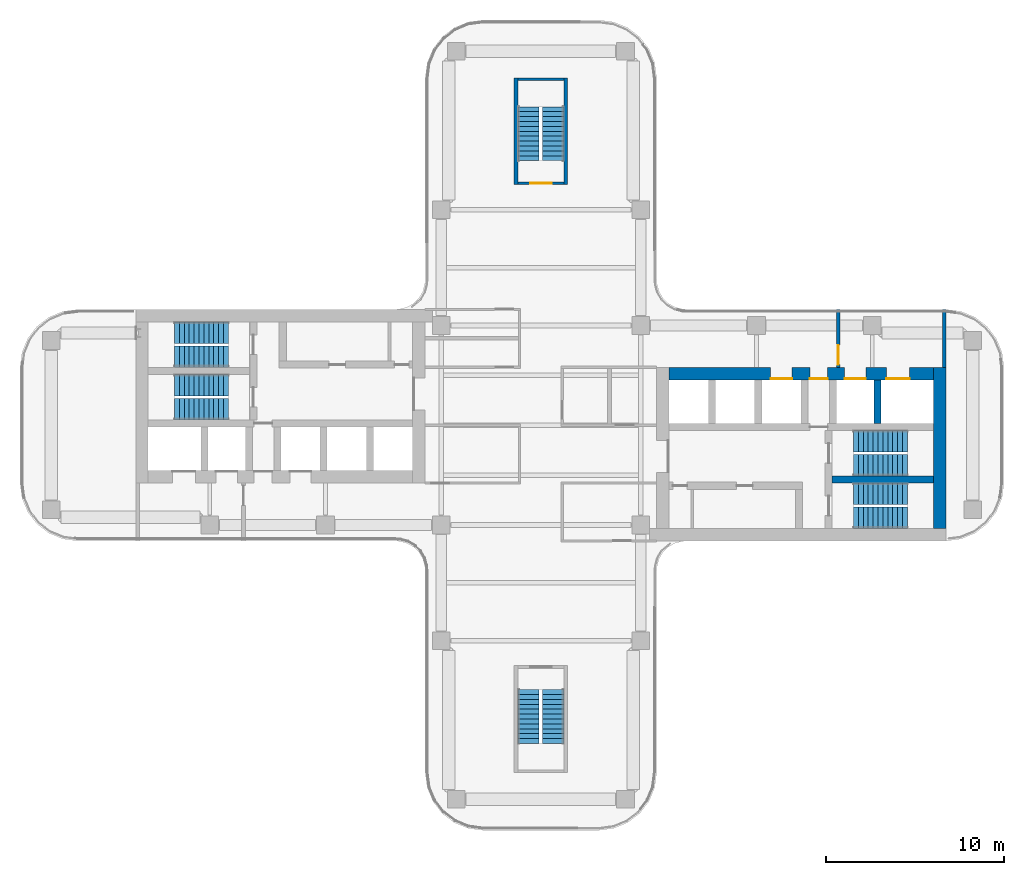
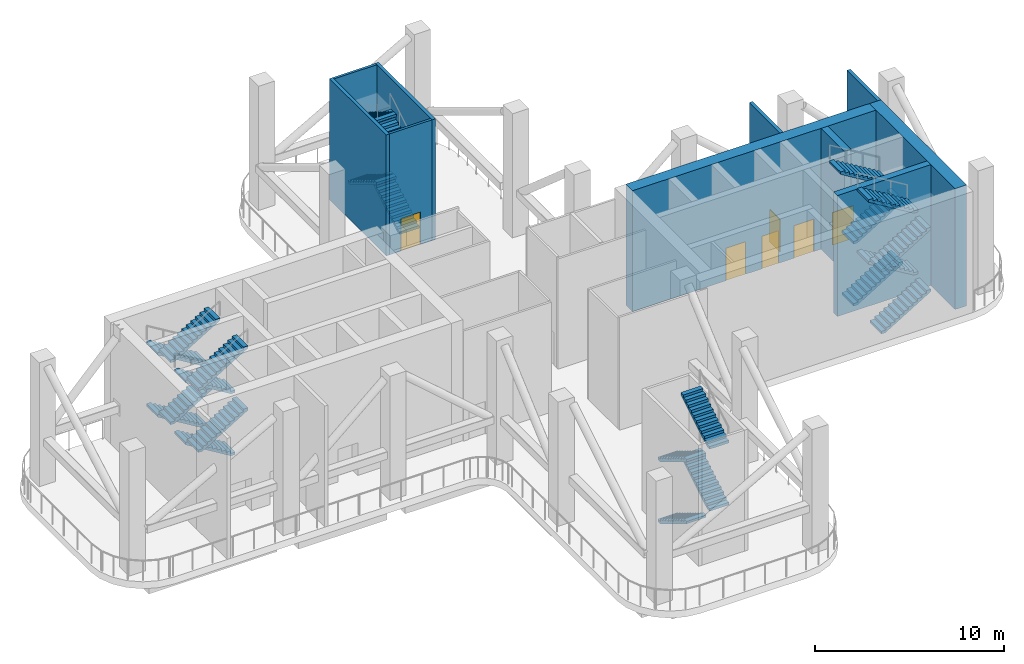
# One storey, part 5 of 9: 24 stair flights, 10 walls, 6 doors, 6 openings, 6 elements without a shape of their own.
"""IFC4 building model written with IfcOpenShell, lengths in metres."""

from ifc_helpers import new_model, si_unit, direction, frame, frame_2d, origin, place, context, subcontext, project, spatial, polyline, rectangle, outline, extrude, source, transform, mapped, material, layer, layer_set, type_object, element, fill, aggregate, save


model = new_model("IFC4")

# Units and contexts
model_context = context("Model", 3, precision=1e-05, world=origin(), true_north=direction((0.0, 1.0)))
body_context = subcontext(model_context, "Body", "Model", "MODEL_VIEW")
ifc_project = project(units=[si_unit("LENGTHUNIT", "METRE"), si_unit("AREAUNIT", "SQUARE_METRE"), si_unit("VOLUMEUNIT", "CUBIC_METRE"), si_unit("PLANEANGLEUNIT", "RADIAN"), si_unit("MASSUNIT", "GRAM", prefix="KILO")], contexts=[model_context])

# Site, building, storey
site_placement = place(None, origin())
site = spatial("IfcSite", under=ifc_project, at=site_placement, CompositionType="ELEMENT")
building_placement = place(site_placement, origin())
building = spatial("IfcBuilding", under=site, at=building_placement, Name="Trellis Farm Tower", CompositionType="ELEMENT")
storey_placement = place(building_placement, frame((0.0, 0.0, 271.39990234375)))
storey = spatial("IfcBuildingStorey", under=building, at=storey_placement, Name="L61", CompositionType="ELEMENT", Elevation=271.39990234375)

# Walls
ifc_material_1 = material(Name="Concrete C60/75", Category="concrete")
ifc_layer_1 = layer(ifc_material_1, 0.699951171875)
ifc_layer_set_1 = layer_set([ifc_layer_1], Name="CORE OUTER WALL 700 CONCRETE C60/75")
wall_type_1 = type_object("IfcWallType", Name="CORE OUTER WALL 700 CONCRETE C60/75", PredefinedType="SHEAR", material=ifc_layer_set_1)
shared_shape_1 = source(origin(), body_context, "Body", "SweptSolid", [
    extrude(rectangle(XDim=9.050048828125, YDim=0.699951171875, at=frame_2d((4.52490234375, 0.0))), origin(), (0.0, 0.0, 1.0), 7.800048828125),
])
wall_1_placement = place(storey_placement, frame((22.39990234375, -5.800048828125, 0.0), z_axis=(0.0, 0.0, 1.0), x_axis=(0.0, 1.0, 0.0)))
element("IfcWall", 1, at=wall_1_placement, inside=storey, type_object=wall_type_1, Name="Core wall", PredefinedType="SHEAR", context=body_context, shape_type="MappedRepresentation", body=[
    mapped(shared_shape_1, transform((0.0, 0.0, 0.0))),
])
ifc_layer_2 = layer(ifc_material_1, 0.39990234375)
ifc_layer_set_2 = layer_set([ifc_layer_2], Name="CORE INNER WALL 400 CONCRETE C60/75")
wall_type_2 = type_object("IfcWallType", Name="CORE INNER WALL 400 CONCRETE C60/75", PredefinedType="SHEAR", material=ifc_layer_set_2)
shared_shape_2 = source(origin(), body_context, "Body", "SweptSolid", [
    extrude(rectangle(XDim=2.449951171875, YDim=0.39990234375, at=frame_2d((1.22509765625, 0.0))), origin(), (0.0, 0.0, 1.0), 7.800048828125),
])
wall_2_placement = place(storey_placement, frame((18.89990234375, 0.10009765625, 0.0), z_axis=(0.0, 0.0, 1.0), x_axis=(0.0, 1.0, 0.0)))
element("IfcWall", 2, at=wall_2_placement, inside=storey, type_object=wall_type_2, Name="Core wall", PredefinedType="SHEAR", context=body_context, shape_type="MappedRepresentation", body=[
    mapped(shared_shape_2, transform((0.0, 0.0, 0.0))),
])

# Wall, opening, door
ifc_material_2 = material(Name="Masonry blockwork", Category="masonry")
ifc_layer_3 = layer(ifc_material_2, 0.199951171875)
ifc_layer_set_3 = layer_set([ifc_layer_3], Name="FIRE LOBBY PARTITION 200 BLOCKWORK")
wall_type_3 = type_object("IfcWallType", Name="FIRE LOBBY PARTITION 200 BLOCKWORK", PredefinedType="PARTITIONING", material=ifc_layer_set_3)
shared_shape_3 = source(origin(), body_context, "Body", "SweptSolid", [
    extrude(rectangle(XDim=3.25, YDim=0.199951171875, at=frame_2d((1.625, 0.0))), origin(), (0.0, 0.0, 1.0), 7.800048828125),
])
wall_3_placement = place(storey_placement, frame((16.699951171875, 3.25, 0.0), z_axis=(0.0, 0.0, 1.0), x_axis=(0.0, 1.0, 0.0)))
wall_3 = element("IfcWall", 3, at=wall_3_placement, inside=storey, type_object=wall_type_3, Name="Fire-fighting lobby partition", PredefinedType="PARTITIONING", context=body_context, shape_type="MappedRepresentation", body=[
    mapped(shared_shape_3, transform((0.0, 0.0, 0.0))),
])
shared_shape_4 = source(origin(), body_context, "Body", "SweptSolid", [
    extrude(rectangle(XDim=1.10009765625, YDim=2.10009765625, at=frame_2d((0.550048828125, 1.050048828125))), frame((0.0, 0.110107421875, 0.0), z_axis=(0.0, -1.0, 0.0), x_axis=(1.0, 0.0, 0.0)), (0.0, 0.0, 1.0), 0.22021484375),
])
opening_1_placement = place(wall_3_placement, frame((0.14990234375, 0.0, 0.0)))
opening_1 = element("IfcOpeningElement", 4, at=opening_1_placement, cuts=wall_3, Name="Opening DC7", PredefinedType="OPENING", context=body_context, shape_type="MappedRepresentation", body=[
    mapped(shared_shape_4, transform((0.0, 0.0, 0.0))),
])
ifc_material_3 = material(Name="Steel", Category="steel")
door_type_1 = type_object("IfcDoorType", Name="CORE FIRE DOOR 1100 X 2100", OperationType="NOTDEFINED", PredefinedType="DOOR", material=ifc_material_3)
shared_shape_5 = source(origin(), body_context, "Body", "SweptSolid", [
    extrude(rectangle(XDim=1.10009765625, YDim=2.10009765625, at=frame_2d((0.550048828125, 1.050048828125))), frame((0.0, 0.02490234375, 0.0), z_axis=(0.0, -1.0, 0.0), x_axis=(1.0, 0.0, 0.0)), (0.0, 0.0, 1.0), 0.050048828125),
])
door_1_placement = place(opening_1_placement, origin())
door_1 = element("IfcDoor", 5, at=door_1_placement, inside=storey, type_object=door_type_1, Name="Core door", OperationType="SINGLE_SWING_RIGHT", OverallHeight=2.10009765625, OverallWidth=1.10009765625, PredefinedType="DOOR", context=body_context, shape_type="MappedRepresentation", body=[
    mapped(shared_shape_5, transform((0.0, 0.0, 0.0))),
])
fill(opening_1, door_1)

# Wall
wall_4_placement = place(storey_placement, frame((22.64990234375, 3.25, 0.0), z_axis=(0.0, 0.0, 1.0), x_axis=(0.0, 1.0, 0.0)))
element("IfcWall", 6, at=wall_4_placement, inside=storey, type_object=wall_type_3, Name="Fire-fighting lobby partition", PredefinedType="PARTITIONING", context=body_context, shape_type="MappedRepresentation", body=[
    mapped(shared_shape_3, transform((0.0, 0.0, 0.0))),
])

# Wall, openings, doors
shared_shape_6 = source(origin(), body_context, "Body", "SweptSolid", [
    extrude(rectangle(XDim=14.85009765625, YDim=0.699951171875, at=frame_2d((7.425048828125, 0.0))), origin(), (0.0, 0.0, 1.0), 7.800048828125),
])
wall_5_placement = place(storey_placement, frame((7.199951171875, 2.89990234375, 0.0), z_axis=(0.0, 0.0, 1.0), x_axis=(1.0, 0.0, 0.0)))
wall_5 = element("IfcWall", 7, at=wall_5_placement, inside=storey, type_object=wall_type_1, Name="Core wall", PredefinedType="SHEAR", context=body_context, shape_type="MappedRepresentation", body=[
    mapped(shared_shape_6, transform((0.0, 0.0, 0.0))),
])
shared_shape_7 = source(origin(), body_context, "Body", "SweptSolid", [
    extrude(rectangle(XDim=1.199951171875, YDim=2.10009765625, at=frame_2d((0.60009765625, 1.050048828125))), frame((0.0, 0.360107421875, 0.0), z_axis=(0.0, -1.0, 0.0), x_axis=(1.0, 0.0, 0.0)), (0.0, 0.0, 1.0), 0.72021484375),
])
opening_2_placement = place(wall_5_placement, frame((5.699951171875, 0.0, 0.0)))
opening_2 = element("IfcOpeningElement", 8, at=opening_2_placement, cuts=wall_5, Name="Opening LD6", PredefinedType="OPENING", context=body_context, shape_type="MappedRepresentation", body=[
    mapped(shared_shape_7, transform((0.0, 0.0, 0.0))),
])
shared_shape_8 = source(origin(), body_context, "Body", "SweptSolid", [
    extrude(rectangle(XDim=1.300048828125, YDim=2.10009765625, at=frame_2d((0.64990234375, 1.050048828125))), frame((0.0, 0.360107421875, 0.0), z_axis=(0.0, -1.0, 0.0), x_axis=(1.0, 0.0, 0.0)), (0.0, 0.0, 1.0), 0.72021484375),
])
opening_3_placement = place(wall_5_placement, frame((12.199951171875, 0.0, 0.0)))
opening_3 = element("IfcOpeningElement", 9, at=opening_3_placement, cuts=wall_5, Name="Opening LD7", PredefinedType="OPENING", context=body_context, shape_type="MappedRepresentation", body=[
    mapped(shared_shape_8, transform((0.0, 0.0, 0.0))),
])
opening_4_placement = place(wall_5_placement, frame((9.85009765625, 0.0, 0.0)))
opening_4 = element("IfcOpeningElement", 10, at=opening_4_placement, cuts=wall_5, Name="Opening LD8", PredefinedType="OPENING", context=body_context, shape_type="MappedRepresentation", body=[
    mapped(shared_shape_7, transform((0.0, 0.0, 0.0))),
])
shared_shape_9 = source(origin(), body_context, "Body", "SweptSolid", [
    extrude(rectangle(XDim=1.0, YDim=2.10009765625, at=frame_2d((0.5, 1.050048828125))), frame((0.0, 0.360107421875, 0.0), z_axis=(0.0, -1.0, 0.0), x_axis=(1.0, 0.0, 0.0)), (0.0, 0.0, 1.0), 0.72021484375),
])
opening_5_placement = place(wall_5_placement, frame((7.89990234375, 0.0, 0.0)))
opening_5 = element("IfcOpeningElement", 11, at=opening_5_placement, cuts=wall_5, Name="Opening DC6", PredefinedType="OPENING", context=body_context, shape_type="MappedRepresentation", body=[
    mapped(shared_shape_9, transform((0.0, 0.0, 0.0))),
])
door_type_2 = type_object("IfcDoorType", Name="CORE FIRE DOOR 1000 X 2100", OperationType="NOTDEFINED", PredefinedType="DOOR", material=ifc_material_3)
shared_shape_10 = source(origin(), body_context, "Body", "SweptSolid", [
    extrude(rectangle(XDim=1.0, YDim=2.10009765625, at=frame_2d((0.5, 1.050048828125))), frame((0.0, -0.27490234375, 0.0), z_axis=(0.0, -1.0, 0.0), x_axis=(1.0, 0.0, 0.0)), (0.0, 0.0, 1.0), 0.050048828125),
])
door_2_placement = place(opening_5_placement, origin())
door_2 = element("IfcDoor", 12, at=door_2_placement, inside=storey, type_object=door_type_2, Name="Core door", OperationType="SINGLE_SWING_LEFT", OverallHeight=2.10009765625, OverallWidth=1.0, PredefinedType="DOOR", context=body_context, shape_type="MappedRepresentation", body=[
    mapped(shared_shape_10, transform((0.0, 0.0, 0.0))),
])
fill(opening_5, door_2)
ifc_material_4 = material(Name="Stainless steel", Category="steel")
door_type_3 = type_object("IfcDoorType", Name="LIFT LANDING DOOR 1300 X 2100", OperationType="DOUBLE_DOOR_SLIDING", PredefinedType="DOOR", material=ifc_material_4)
shared_shape_11 = source(origin(), body_context, "Body", "SweptSolid", [
    extrude(rectangle(XDim=1.300048828125, YDim=2.10009765625, at=frame_2d((0.64990234375, 1.050048828125))), frame((0.0, -0.27490234375, 0.0), z_axis=(0.0, -1.0, 0.0), x_axis=(1.0, 0.0, 0.0)), (0.0, 0.0, 1.0), 0.050048828125),
])
door_3_placement = place(opening_3_placement, origin())
door_3 = element("IfcDoor", 13, at=door_3_placement, inside=storey, type_object=door_type_3, Name="Lift landing door", OperationType="DOUBLE_DOOR_SLIDING", OverallHeight=2.10009765625, OverallWidth=1.300048828125, PredefinedType="DOOR", context=body_context, shape_type="MappedRepresentation", body=[
    mapped(shared_shape_11, transform((0.0, 0.0, 0.0))),
])
fill(opening_3, door_3)
door_type_4 = type_object("IfcDoorType", Name="LIFT LANDING DOOR 1200 X 2100", OperationType="DOUBLE_DOOR_SLIDING", PredefinedType="DOOR", material=ifc_material_4)
shared_shape_12 = source(origin(), body_context, "Body", "SweptSolid", [
    extrude(rectangle(XDim=1.199951171875, YDim=2.10009765625, at=frame_2d((0.60009765625, 1.050048828125))), frame((0.0, -0.27490234375, 0.0), z_axis=(0.0, -1.0, 0.0), x_axis=(1.0, 0.0, 0.0)), (0.0, 0.0, 1.0), 0.050048828125),
])
door_4_placement = place(opening_2_placement, origin())
door_4 = element("IfcDoor", 14, at=door_4_placement, inside=storey, type_object=door_type_4, Name="Lift landing door", OperationType="DOUBLE_DOOR_SLIDING", OverallHeight=2.10009765625, OverallWidth=1.199951171875, PredefinedType="DOOR", context=body_context, shape_type="MappedRepresentation", body=[
    mapped(shared_shape_12, transform((0.0, 0.0, 0.0))),
])
fill(opening_2, door_4)
door_5_placement = place(opening_4_placement, origin())
door_5 = element("IfcDoor", 15, at=door_5_placement, inside=storey, type_object=door_type_4, Name="Lift landing door", OperationType="DOUBLE_DOOR_SLIDING", OverallHeight=2.10009765625, OverallWidth=1.199951171875, PredefinedType="DOOR", context=body_context, shape_type="MappedRepresentation", body=[
    mapped(shared_shape_12, transform((0.0, 0.0, 0.0))),
])
fill(opening_4, door_5)

# Walls
shared_shape_13 = source(origin(), body_context, "Body", "SweptSolid", [
    extrude(rectangle(XDim=5.699951171875, YDim=0.39990234375, at=frame_2d((2.85009765625, 0.0))), origin(), (0.0, 0.0, 1.0), 7.800048828125),
])
wall_6_placement = place(storey_placement, frame((16.35009765625, -3.050048828125, 0.0), z_axis=(0.0, 0.0, 1.0), x_axis=(1.0, 0.0, 0.0)))
element("IfcWall", 16, at=wall_6_placement, inside=storey, type_object=wall_type_2, Name="Core wall", PredefinedType="SHEAR", context=body_context, shape_type="MappedRepresentation", body=[
    mapped(shared_shape_13, transform((0.0, 0.0, 0.0))),
])
ifc_layer_4 = layer(ifc_material_1, 0.199951171875)
ifc_layer_set_4 = layer_set([ifc_layer_4], Name="CORE STAIR ENCLOSURE WALL 200 CONCRETE C60/75")
wall_type_4 = type_object("IfcWallType", Name="CORE STAIR ENCLOSURE WALL 200 CONCRETE C60/75", PredefinedType="SHEAR", material=ifc_layer_set_4)
shared_shape_14 = source(origin(), body_context, "Body", "SweptSolid", [
    extrude(rectangle(XDim=6.0, YDim=0.199951171875, at=frame_2d((3.0, 0.0))), origin(), (0.0, 0.0, 1.0), 7.800048828125),
])
for number, where, z_axis, x_axis, name in (
    (17, (-1.39990234375, 13.5, 0.0), (0.0, 0.0, 1.0), (0.0, 1.0, 0.0), "Stair enclosure wall"),
    (18, (1.39990234375, 13.5, 0.0), (0.0, 0.0, 1.0), (0.0, 1.0, 0.0), "Stair enclosure wall"),
):
    element("IfcWall", number, at=place(storey_placement, frame(where, z_axis=z_axis, x_axis=x_axis)), inside=storey, type_object=wall_type_4, Name=name, PredefinedType="SHEAR", context=body_context, shape_type="MappedRepresentation", body=[
        mapped(shared_shape_14, transform((0.0, 0.0, 0.0))),
    ])

# Wall, opening, door
ifc_layer_5 = layer(ifc_material_1, 0.14990234375)
ifc_layer_set_5 = layer_set([ifc_layer_5], Name="CORE STAIR ENCLOSURE WALL 150 CONCRETE C60/75")
wall_type_5 = type_object("IfcWallType", Name="CORE STAIR ENCLOSURE WALL 150 CONCRETE C60/75", PredefinedType="SHEAR", material=ifc_layer_set_5)
shared_shape_15 = source(origin(), body_context, "Body", "SweptSolid", [
    extrude(rectangle(XDim=2.60009765625, YDim=0.14990234375, at=frame_2d((1.300048828125, 0.0))), origin(), (0.0, 0.0, 1.0), 7.800048828125),
])
wall_7_placement = place(storey_placement, frame((-1.300048828125, 13.574951171875, 0.0), z_axis=(0.0, 0.0, 1.0), x_axis=(1.0, 0.0, 0.0)))
wall_7 = element("IfcWall", 19, at=wall_7_placement, inside=storey, type_object=wall_type_5, Name="Stair enclosure wall", PredefinedType="SHEAR", context=body_context, shape_type="MappedRepresentation", body=[
    mapped(shared_shape_15, transform((0.0, 0.0, 0.0))),
])
shared_shape_16 = source(origin(), body_context, "Body", "SweptSolid", [
    extrude(rectangle(XDim=1.199951171875, YDim=2.10009765625, at=frame_2d((0.60009765625, 1.050048828125))), frame((0.0, 0.0849609375, 0.0), z_axis=(0.0, -1.0, 0.0), x_axis=(1.0, 0.0, 0.0)), (0.0, 0.0, 1.0), 0.169921875),
])
opening_6_placement = place(wall_7_placement, frame((0.699951171875, 0.0, 0.0)))
opening_6 = element("IfcOpeningElement", 20, at=opening_6_placement, cuts=wall_7, Name="Opening DC173", PredefinedType="OPENING", context=body_context, shape_type="MappedRepresentation", body=[
    mapped(shared_shape_16, transform((0.0, 0.0, 0.0))),
])
door_type_5 = type_object("IfcDoorType", Name="CORE FIRE DOOR 1200 X 2100", OperationType="NOTDEFINED", PredefinedType="DOOR", material=ifc_material_3)
shared_shape_17 = source(origin(), body_context, "Body", "SweptSolid", [
    extrude(rectangle(XDim=1.199951171875, YDim=2.10009765625, at=frame_2d((0.60009765625, 1.050048828125))), frame((0.0, 0.02490234375, 0.0), z_axis=(0.0, -1.0, 0.0), x_axis=(1.0, 0.0, 0.0)), (0.0, 0.0, 1.0), 0.050048828125),
])
door_6_placement = place(opening_6_placement, origin())
door_6 = element("IfcDoor", 21, at=door_6_placement, inside=storey, type_object=door_type_5, Name="Core door", OperationType="SINGLE_SWING_LEFT", OverallHeight=2.10009765625, OverallWidth=1.199951171875, PredefinedType="DOOR", context=body_context, shape_type="MappedRepresentation", body=[
    mapped(shared_shape_17, transform((0.0, 0.0, 0.0))),
])
fill(opening_6, door_6)

# Wall
wall_8_placement = place(storey_placement, frame((-1.300048828125, 19.425048828125, 0.0), z_axis=(0.0, 0.0, 1.0), x_axis=(1.0, 0.0, 0.0)))
element("IfcWall", 22, at=wall_8_placement, inside=storey, type_object=wall_type_5, Name="Stair enclosure wall", PredefinedType="SHEAR", context=body_context, shape_type="MappedRepresentation", body=[
    mapped(shared_shape_15, transform((0.0, 0.0, 0.0))),
])

# Stair, stair flights
ifc_material_5 = material(Name="Concrete C50/60", Category="concrete")
stair_type = type_object("IfcStairType", Name="CORE EXIT STAIR 48 RISERS 167 MM", PredefinedType="HALF_TURN_STAIR", material=ifc_material_5)
placement = place(storey_placement, origin())
stair_1 = element("IfcStair", 23, at=placement, inside=storey, type_object=stair_type, Name="Exit stair N", PredefinedType="HALF_TURN_STAIR")
stair_flight_type = type_object("IfcStairFlightType", Name="STAIR FLIGHT 12 RISERS 167 MM", PredefinedType="STRAIGHT", material=ifc_material_5)
shared_shape_18 = source(origin(), body_context, "Body", "SweptSolid", [
    extrude(outline(polyline([(0.0, 0.0), (0.0, 0.166748046875), (0.27490234375, 0.166748046875), (0.27490234375, 0.333251953125), (0.550048828125, 0.333251953125), (0.550048828125, 0.5), (0.824951171875, 0.5), (0.824951171875, 0.666748046875), (1.10009765625, 0.666748046875), (1.10009765625, 0.833251953125), (1.375, 0.833251953125), (1.375, 1.0), (1.64990234375, 1.0), (1.64990234375, 1.166748046875), (1.925048828125, 1.166748046875), (1.925048828125, 1.333251953125), (2.199951171875, 1.333251953125), (2.199951171875, 1.5), (2.47509765625, 1.5), (2.47509765625, 1.666748046875), (2.75, 1.666748046875), (2.75, 1.833251953125), (3.02490234375, 1.833251953125), (3.02490234375, 2.0), (3.02490234375, 1.681396484375), (0.25048828125, 0.0), (0.0, 0.0)])), frame((0.0, 0.60009765625, 0.0), z_axis=(0.0, -1.0, 0.0), x_axis=(1.0, 0.0, 0.0)), (0.0, 0.0, 1.0), 1.199951171875),
])
stair_flight_1_placement = place(storey_placement, frame((0.699951171875, 14.85009765625, 0.0), z_axis=(0.0, 0.0, 1.0), x_axis=(0.0, 1.0, 0.0)))
stair_flight_1 = element("IfcStairFlight", 24, at=stair_flight_1_placement, type_object=stair_flight_type, Name="STN flight 1", NumberOfRisers=12, NumberOfTreads=11, PredefinedType="STRAIGHT", RiserHeight=0.166666667, TreadLength=0.275, context=body_context, shape_type="MappedRepresentation", body=[
    mapped(shared_shape_18, transform((0.0, 0.0, 0.0))),
])
stair_flight_2_placement = place(storey_placement, frame((-0.699951171875, 17.875, 2.0), z_axis=(0.0, 0.0, 1.0), x_axis=(0.0, -1.0, 0.0)))
stair_flight_2 = element("IfcStairFlight", 25, at=stair_flight_2_placement, type_object=stair_flight_type, Name="STN flight 2", NumberOfRisers=12, NumberOfTreads=11, PredefinedType="STRAIGHT", RiserHeight=0.166666667, TreadLength=0.275, context=body_context, shape_type="MappedRepresentation", body=[
    mapped(shared_shape_18, transform((0.0, 0.0, 0.0))),
])
stair_flight_3_placement = place(storey_placement, frame((0.699951171875, 14.85009765625, 4.0), z_axis=(0.0, 0.0, 1.0), x_axis=(0.0, 1.0, 0.0)))
stair_flight_3 = element("IfcStairFlight", 26, at=stair_flight_3_placement, type_object=stair_flight_type, Name="STN flight 3", NumberOfRisers=12, NumberOfTreads=11, PredefinedType="STRAIGHT", RiserHeight=0.166666667, TreadLength=0.275, context=body_context, shape_type="MappedRepresentation", body=[
    mapped(shared_shape_18, transform((0.0, 0.0, 0.0))),
])
stair_flight_4_placement = place(storey_placement, frame((-0.699951171875, 17.875, 6.0), z_axis=(0.0, 0.0, 1.0), x_axis=(0.0, -1.0, 0.0)))
stair_flight_4 = element("IfcStairFlight", 27, at=stair_flight_4_placement, type_object=stair_flight_type, Name="STN flight 4", NumberOfRisers=12, NumberOfTreads=11, PredefinedType="STRAIGHT", RiserHeight=0.166666667, TreadLength=0.275, context=body_context, shape_type="MappedRepresentation", body=[
    mapped(shared_shape_18, transform((0.0, 0.0, 0.0))),
])
aggregate(stair_1, [stair_flight_1, stair_flight_2, stair_flight_3, stair_flight_4])

stair_2 = element("IfcStair", 28, at=placement, inside=storey, type_object=stair_type, Name="Exit stair S", PredefinedType="HALF_TURN_STAIR")
stair_flight_5_placement = place(storey_placement, frame((-0.699951171875, -14.85009765625, 0.0), z_axis=(0.0, 0.0, 1.0), x_axis=(0.0, -1.0, 0.0)))
stair_flight_5 = element("IfcStairFlight", 29, at=stair_flight_5_placement, type_object=stair_flight_type, Name="STS flight 1", NumberOfRisers=12, NumberOfTreads=11, PredefinedType="STRAIGHT", RiserHeight=0.166666667, TreadLength=0.275, context=body_context, shape_type="MappedRepresentation", body=[
    mapped(shared_shape_18, transform((0.0, 0.0, 0.0))),
])
stair_flight_6_placement = place(storey_placement, frame((0.699951171875, -17.875, 2.0), z_axis=(0.0, 0.0, 1.0), x_axis=(0.0, 1.0, 0.0)))
stair_flight_6 = element("IfcStairFlight", 30, at=stair_flight_6_placement, type_object=stair_flight_type, Name="STS flight 2", NumberOfRisers=12, NumberOfTreads=11, PredefinedType="STRAIGHT", RiserHeight=0.166666667, TreadLength=0.275, context=body_context, shape_type="MappedRepresentation", body=[
    mapped(shared_shape_18, transform((0.0, 0.0, 0.0))),
])
stair_flight_7_placement = place(storey_placement, frame((-0.699951171875, -14.85009765625, 4.0), z_axis=(0.0, 0.0, 1.0), x_axis=(0.0, -1.0, 0.0)))
stair_flight_7 = element("IfcStairFlight", 31, at=stair_flight_7_placement, type_object=stair_flight_type, Name="STS flight 3", NumberOfRisers=12, NumberOfTreads=11, PredefinedType="STRAIGHT", RiserHeight=0.166666667, TreadLength=0.275, context=body_context, shape_type="MappedRepresentation", body=[
    mapped(shared_shape_18, transform((0.0, 0.0, 0.0))),
])
stair_flight_8_placement = place(storey_placement, frame((0.699951171875, -17.875, 6.0), z_axis=(0.0, 0.0, 1.0), x_axis=(0.0, 1.0, 0.0)))
stair_flight_8 = element("IfcStairFlight", 32, at=stair_flight_8_placement, type_object=stair_flight_type, Name="STS flight 4", NumberOfRisers=12, NumberOfTreads=11, PredefinedType="STRAIGHT", RiserHeight=0.166666667, TreadLength=0.275, context=body_context, shape_type="MappedRepresentation", body=[
    mapped(shared_shape_18, transform((0.0, 0.0, 0.0))),
])
aggregate(stair_2, [stair_flight_5, stair_flight_6, stair_flight_7, stair_flight_8])

stair_3 = element("IfcStair", 33, at=placement, inside=storey, type_object=stair_type, Name="Exit stair E1", PredefinedType="HALF_TURN_STAIR")
stair_flight_9_placement = place(storey_placement, frame((17.550048828125, -5.199951171875, 0.0), z_axis=(0.0, 0.0, 1.0), x_axis=(1.0, 0.0, 0.0)))
stair_flight_9 = element("IfcStairFlight", 34, at=stair_flight_9_placement, type_object=stair_flight_type, Name="STE1 flight 1", NumberOfRisers=12, NumberOfTreads=11, PredefinedType="STRAIGHT", RiserHeight=0.166666667, TreadLength=0.275, context=body_context, shape_type="MappedRepresentation", body=[
    mapped(shared_shape_18, transform((0.0, 0.0, 0.0))),
])
stair_flight_10_placement = place(storey_placement, frame((20.574951171875, -3.85009765625, 2.0), z_axis=(0.0, 0.0, 1.0), x_axis=(-1.0, 0.0, 0.0)))
stair_flight_10 = element("IfcStairFlight", 35, at=stair_flight_10_placement, type_object=stair_flight_type, Name="STE1 flight 2", NumberOfRisers=12, NumberOfTreads=11, PredefinedType="STRAIGHT", RiserHeight=0.166666667, TreadLength=0.275, context=body_context, shape_type="MappedRepresentation", body=[
    mapped(shared_shape_18, transform((0.0, 0.0, 0.0))),
])
stair_flight_11_placement = place(storey_placement, frame((17.550048828125, -5.199951171875, 4.0), z_axis=(0.0, 0.0, 1.0), x_axis=(1.0, 0.0, 0.0)))
stair_flight_11 = element("IfcStairFlight", 36, at=stair_flight_11_placement, type_object=stair_flight_type, Name="STE1 flight 3", NumberOfRisers=12, NumberOfTreads=11, PredefinedType="STRAIGHT", RiserHeight=0.166666667, TreadLength=0.275, context=body_context, shape_type="MappedRepresentation", body=[
    mapped(shared_shape_18, transform((0.0, 0.0, 0.0))),
])
stair_flight_12_placement = place(storey_placement, frame((20.574951171875, -3.85009765625, 6.0), z_axis=(0.0, 0.0, 1.0), x_axis=(-1.0, 0.0, 0.0)))
stair_flight_12 = element("IfcStairFlight", 37, at=stair_flight_12_placement, type_object=stair_flight_type, Name="STE1 flight 4", NumberOfRisers=12, NumberOfTreads=11, PredefinedType="STRAIGHT", RiserHeight=0.166666667, TreadLength=0.275, context=body_context, shape_type="MappedRepresentation", body=[
    mapped(shared_shape_18, transform((0.0, 0.0, 0.0))),
])
aggregate(stair_3, [stair_flight_9, stair_flight_10, stair_flight_11, stair_flight_12])

stair_4 = element("IfcStair", 38, at=placement, inside=storey, type_object=stair_type, Name="Exit stair E2", PredefinedType="HALF_TURN_STAIR")
stair_flight_13_placement = place(storey_placement, frame((17.550048828125, -2.25, 0.0), z_axis=(0.0, 0.0, 1.0), x_axis=(1.0, 0.0, 0.0)))
stair_flight_13 = element("IfcStairFlight", 39, at=stair_flight_13_placement, type_object=stair_flight_type, Name="STE2 flight 1", NumberOfRisers=12, NumberOfTreads=11, PredefinedType="STRAIGHT", RiserHeight=0.166666667, TreadLength=0.275, context=body_context, shape_type="MappedRepresentation", body=[
    mapped(shared_shape_18, transform((0.0, 0.0, 0.0))),
])
stair_flight_14_placement = place(storey_placement, frame((20.574951171875, -0.89990234375, 2.0), z_axis=(0.0, 0.0, 1.0), x_axis=(-1.0, 0.0, 0.0)))
stair_flight_14 = element("IfcStairFlight", 40, at=stair_flight_14_placement, type_object=stair_flight_type, Name="STE2 flight 2", NumberOfRisers=12, NumberOfTreads=11, PredefinedType="STRAIGHT", RiserHeight=0.166666667, TreadLength=0.275, context=body_context, shape_type="MappedRepresentation", body=[
    mapped(shared_shape_18, transform((0.0, 0.0, 0.0))),
])
stair_flight_15_placement = place(storey_placement, frame((17.550048828125, -2.25, 4.0), z_axis=(0.0, 0.0, 1.0), x_axis=(1.0, 0.0, 0.0)))
stair_flight_15 = element("IfcStairFlight", 41, at=stair_flight_15_placement, type_object=stair_flight_type, Name="STE2 flight 3", NumberOfRisers=12, NumberOfTreads=11, PredefinedType="STRAIGHT", RiserHeight=0.166666667, TreadLength=0.275, context=body_context, shape_type="MappedRepresentation", body=[
    mapped(shared_shape_18, transform((0.0, 0.0, 0.0))),
])
stair_flight_16_placement = place(storey_placement, frame((20.574951171875, -0.89990234375, 6.0), z_axis=(0.0, 0.0, 1.0), x_axis=(-1.0, 0.0, 0.0)))
stair_flight_16 = element("IfcStairFlight", 42, at=stair_flight_16_placement, type_object=stair_flight_type, Name="STE2 flight 4", NumberOfRisers=12, NumberOfTreads=11, PredefinedType="STRAIGHT", RiserHeight=0.166666667, TreadLength=0.275, context=body_context, shape_type="MappedRepresentation", body=[
    mapped(shared_shape_18, transform((0.0, 0.0, 0.0))),
])
aggregate(stair_4, [stair_flight_13, stair_flight_14, stair_flight_15, stair_flight_16])

stair_5 = element("IfcStair", 43, at=placement, inside=storey, type_object=stair_type, Name="Exit stair W1", PredefinedType="HALF_TURN_STAIR")
stair_flight_17_placement = place(storey_placement, frame((-17.550048828125, 5.199951171875, 0.0), z_axis=(0.0, 0.0, 1.0), x_axis=(-1.0, 0.0, 0.0)))
stair_flight_17 = element("IfcStairFlight", 44, at=stair_flight_17_placement, type_object=stair_flight_type, Name="STW1 flight 1", NumberOfRisers=12, NumberOfTreads=11, PredefinedType="STRAIGHT", RiserHeight=0.166666667, TreadLength=0.275, context=body_context, shape_type="MappedRepresentation", body=[
    mapped(shared_shape_18, transform((0.0, 0.0, 0.0))),
])
stair_flight_18_placement = place(storey_placement, frame((-20.574951171875, 3.85009765625, 2.0), z_axis=(0.0, 0.0, 1.0), x_axis=(1.0, 0.0, 0.0)))
stair_flight_18 = element("IfcStairFlight", 45, at=stair_flight_18_placement, type_object=stair_flight_type, Name="STW1 flight 2", NumberOfRisers=12, NumberOfTreads=11, PredefinedType="STRAIGHT", RiserHeight=0.166666667, TreadLength=0.275, context=body_context, shape_type="MappedRepresentation", body=[
    mapped(shared_shape_18, transform((0.0, 0.0, 0.0))),
])
stair_flight_19_placement = place(storey_placement, frame((-17.550048828125, 5.199951171875, 4.0), z_axis=(0.0, 0.0, 1.0), x_axis=(-1.0, 0.0, 0.0)))
stair_flight_19 = element("IfcStairFlight", 46, at=stair_flight_19_placement, type_object=stair_flight_type, Name="STW1 flight 3", NumberOfRisers=12, NumberOfTreads=11, PredefinedType="STRAIGHT", RiserHeight=0.166666667, TreadLength=0.275, context=body_context, shape_type="MappedRepresentation", body=[
    mapped(shared_shape_18, transform((0.0, 0.0, 0.0))),
])
stair_flight_20_placement = place(storey_placement, frame((-20.574951171875, 3.85009765625, 6.0), z_axis=(0.0, 0.0, 1.0), x_axis=(1.0, 0.0, 0.0)))
stair_flight_20 = element("IfcStairFlight", 47, at=stair_flight_20_placement, type_object=stair_flight_type, Name="STW1 flight 4", NumberOfRisers=12, NumberOfTreads=11, PredefinedType="STRAIGHT", RiserHeight=0.166666667, TreadLength=0.275, context=body_context, shape_type="MappedRepresentation", body=[
    mapped(shared_shape_18, transform((0.0, 0.0, 0.0))),
])
aggregate(stair_5, [stair_flight_17, stair_flight_18, stair_flight_19, stair_flight_20])

stair_6 = element("IfcStair", 48, at=placement, inside=storey, type_object=stair_type, Name="Exit stair W2", PredefinedType="HALF_TURN_STAIR")
stair_flight_21_placement = place(storey_placement, frame((-17.550048828125, 2.25, 0.0), z_axis=(0.0, 0.0, 1.0), x_axis=(-1.0, 0.0, 0.0)))
stair_flight_21 = element("IfcStairFlight", 49, at=stair_flight_21_placement, type_object=stair_flight_type, Name="STW2 flight 1", NumberOfRisers=12, NumberOfTreads=11, PredefinedType="STRAIGHT", RiserHeight=0.166666667, TreadLength=0.275, context=body_context, shape_type="MappedRepresentation", body=[
    mapped(shared_shape_18, transform((0.0, 0.0, 0.0))),
])
stair_flight_22_placement = place(storey_placement, frame((-20.574951171875, 0.89990234375, 2.0), z_axis=(0.0, 0.0, 1.0), x_axis=(1.0, 0.0, 0.0)))
stair_flight_22 = element("IfcStairFlight", 50, at=stair_flight_22_placement, type_object=stair_flight_type, Name="STW2 flight 2", NumberOfRisers=12, NumberOfTreads=11, PredefinedType="STRAIGHT", RiserHeight=0.166666667, TreadLength=0.275, context=body_context, shape_type="MappedRepresentation", body=[
    mapped(shared_shape_18, transform((0.0, 0.0, 0.0))),
])
stair_flight_23_placement = place(storey_placement, frame((-17.550048828125, 2.25, 4.0), z_axis=(0.0, 0.0, 1.0), x_axis=(-1.0, 0.0, 0.0)))
stair_flight_23 = element("IfcStairFlight", 51, at=stair_flight_23_placement, type_object=stair_flight_type, Name="STW2 flight 3", NumberOfRisers=12, NumberOfTreads=11, PredefinedType="STRAIGHT", RiserHeight=0.166666667, TreadLength=0.275, context=body_context, shape_type="MappedRepresentation", body=[
    mapped(shared_shape_18, transform((0.0, 0.0, 0.0))),
])
stair_flight_24_placement = place(storey_placement, frame((-20.574951171875, 0.89990234375, 6.0), z_axis=(0.0, 0.0, 1.0), x_axis=(1.0, 0.0, 0.0)))
stair_flight_24 = element("IfcStairFlight", 52, at=stair_flight_24_placement, type_object=stair_flight_type, Name="STW2 flight 4", NumberOfRisers=12, NumberOfTreads=11, PredefinedType="STRAIGHT", RiserHeight=0.166666667, TreadLength=0.275, context=body_context, shape_type="MappedRepresentation", body=[
    mapped(shared_shape_18, transform((0.0, 0.0, 0.0))),
])
aggregate(stair_6, [stair_flight_21, stair_flight_22, stair_flight_23, stair_flight_24])

save(model, "model.ifc")
